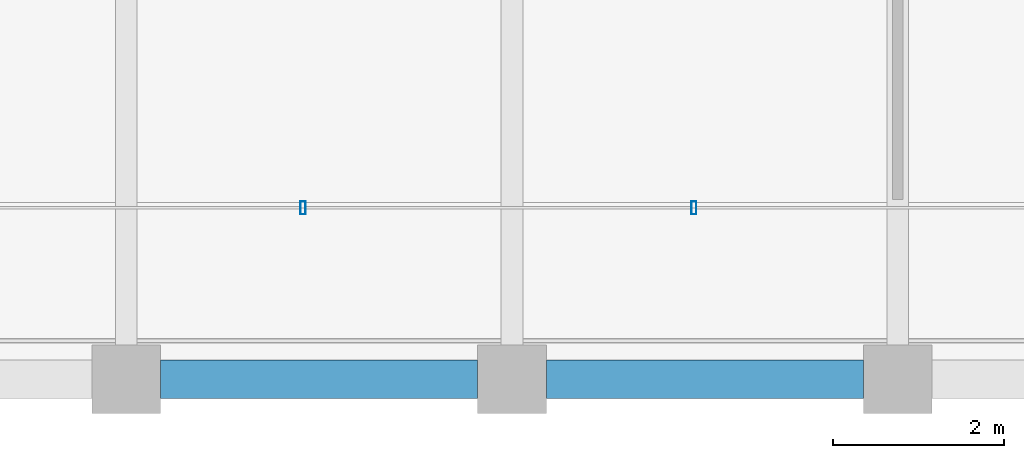
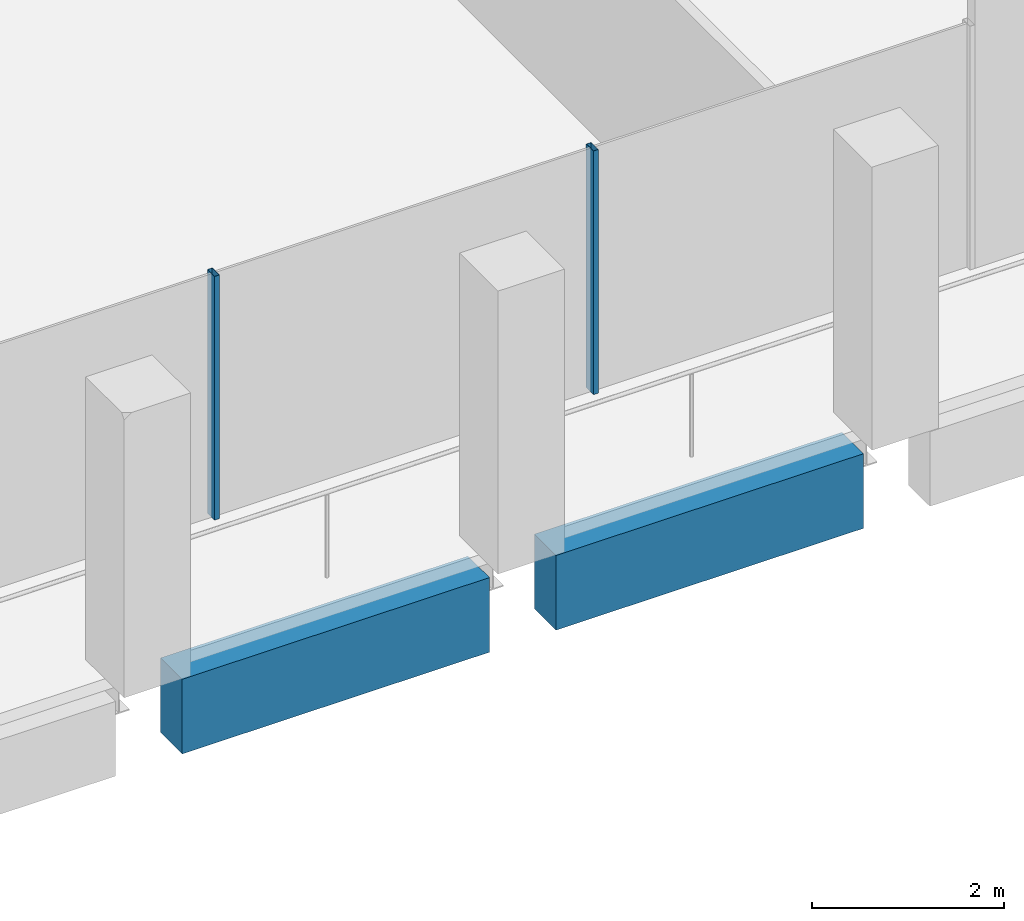
# One storey, part 3 of 30: 2 beams, 2 members, 1 element without a shape of its own.
"""IFC4 building model written with IfcOpenShell, lengths in metres."""

from ifc_helpers import new_model, si_unit, direction, frame, origin, origin_2d, place, context, subcontext, project, spatial, rectangle, hollow_rectangle, extrude, material, material_profile, profile_set, type_object, element, aggregate, save


model = new_model("IFC4")

# Units and contexts
model_context = context("Model", 3, precision=1e-05, world=origin(), true_north=direction((0.0, 1.0)))
body_context = subcontext(model_context, "Body", "Model", "MODEL_VIEW")
ifc_project = project(units=[si_unit("LENGTHUNIT", "METRE"), si_unit("AREAUNIT", "SQUARE_METRE"), si_unit("VOLUMEUNIT", "CUBIC_METRE"), si_unit("PLANEANGLEUNIT", "RADIAN"), si_unit("MASSUNIT", "GRAM", prefix="KILO")], contexts=[model_context])

# Site, building, storey
site_placement = place(None, origin())
site = spatial("IfcSite", under=ifc_project, at=site_placement, CompositionType="ELEMENT")
building_placement = place(site_placement, origin())
building = spatial("IfcBuilding", under=site, at=building_placement, Name="Altepetl Exchange Towers", CompositionType="ELEMENT")
storey_placement = place(building_placement, frame((0.0, 0.0, 217.199951171875)))
storey = spatial("IfcBuildingStorey", under=building, at=storey_placement, Name="L55", CompositionType="ELEMENT", Elevation=217.199951171875)

# Curtain wall, members
ifc_material_1 = material(Name="Aluminium 6063-T6 glazing", Category="aluminium")
curtain_wall_type = type_object("IfcCurtainWallType", Name="Loggia glazing system", PredefinedType="NOTDEFINED", material=ifc_material_1)
curtain_wall_placement = place(storey_placement, origin())
curtain_wall = element("IfcCurtainWall", 1, at=curtain_wall_placement, inside=storey, type_object=curtain_wall_type, Name="CW1 run", PredefinedType="NOTDEFINED")
ifc_material_2 = material(Name="Aluminium 6063-T6", Category="aluminium")
ifc_material_profile_1 = material_profile(ifc_material_2, hollow_rectangle(XDim=0.06005859375, YDim=0.14990234375, WallThickness=0.0029296875, at=origin_2d()), Name="Mullion 60x150 aluminium")
ifc_profile_set_1 = profile_set([ifc_material_profile_1], Name="Aluminium 6063-T6")
member_type = type_object("IfcMemberType", Name="Mullion 60x150 aluminium", PredefinedType="MULLION", material=ifc_profile_set_1)
member_1_placement = place(storey_placement, frame((38.060791015625, 29.0, 0.0)))
member_1 = element("IfcMember", 2, at=member_1_placement, type_object=member_type, Name="MU1 mullion", PredefinedType="MULLION", context=body_context, shape_type="SweptSolid", body=[
    extrude(hollow_rectangle(XDim=0.06005859375, YDim=0.14990234375, WallThickness=0.0029296875, at=origin_2d()), origin(), (0.0, 0.0, 1.0), 3.10009765625),
])
member_2_placement = place(storey_placement, frame((42.621337890625, 29.0, 0.0)))
member_2 = element("IfcMember", 3, at=member_2_placement, type_object=member_type, Name="MU1 mullion", PredefinedType="MULLION", context=body_context, shape_type="SweptSolid", body=[
    extrude(hollow_rectangle(XDim=0.06005859375, YDim=0.14990234375, WallThickness=0.0029296875, at=origin_2d()), origin(), (0.0, 0.0, 1.0), 3.10009765625),
])
aggregate(curtain_wall, [member_1, member_2])

# Beams
ifc_material_3 = material(Name="Concrete C50/60 precast with cantera blanca facing", Category="concrete")
ifc_material_profile_2 = material_profile(ifc_material_3, rectangle(XDim=0.449951171875, YDim=0.949951171875, at=origin_2d()), Name="450 x 950")
ifc_profile_set_2 = profile_set([ifc_material_profile_2], Name="Concrete C50/60 precast with cantera blanca facing")
beam_type = type_object("IfcBeamType", Name="Spandrel beam 450x950 cantera blanca", PredefinedType="SPANDREL", material=ifc_profile_set_2)
for number, where, z_axis, x_axis, name in (
    (4, (36.39990234375, 27.0, -0.625), (1.0, 0.0, 0.0), (0.0, 1.0, 0.0), "sp:A:L55:001"),
    (5, (40.89990234375, 27.0, -0.625), (1.0, 0.0, 0.0), (0.0, 1.0, 0.0), "sp:A:L55:002"),
):
    element("IfcBeam", number, at=place(storey_placement, frame(where, z_axis=z_axis, x_axis=x_axis)), inside=storey, type_object=beam_type, Name=name, PredefinedType="SPANDREL", context=body_context, shape_type="SweptSolid", body=[
        extrude(rectangle(XDim=0.449951171875, YDim=0.949951171875, at=origin_2d()), origin(), (0.0, 0.0, 1.0), 3.7001953125),
    ])

save(model, "model.ifc")
